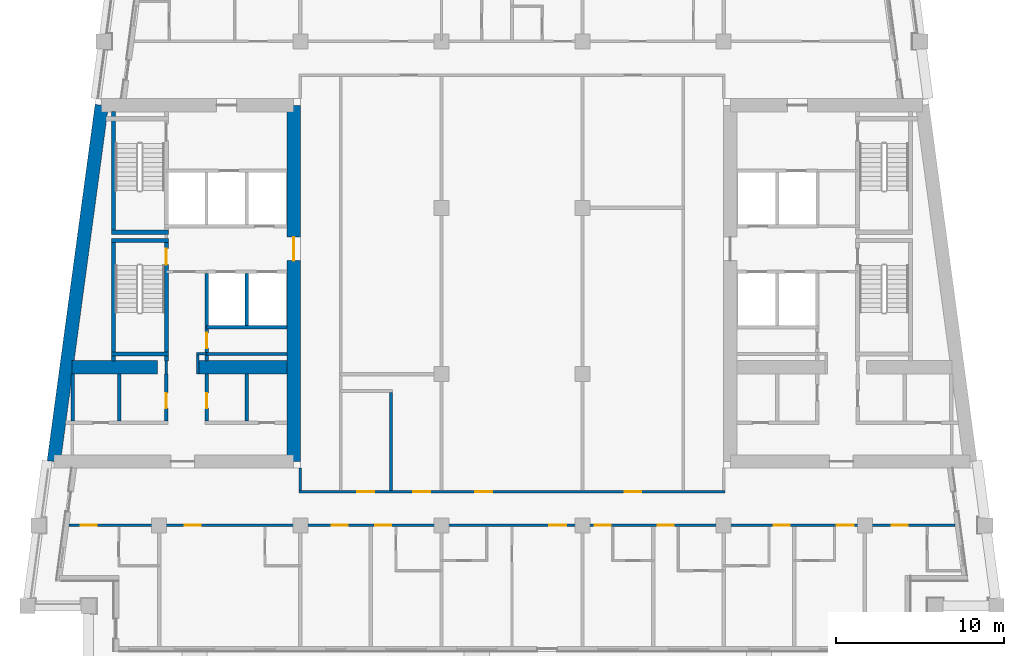
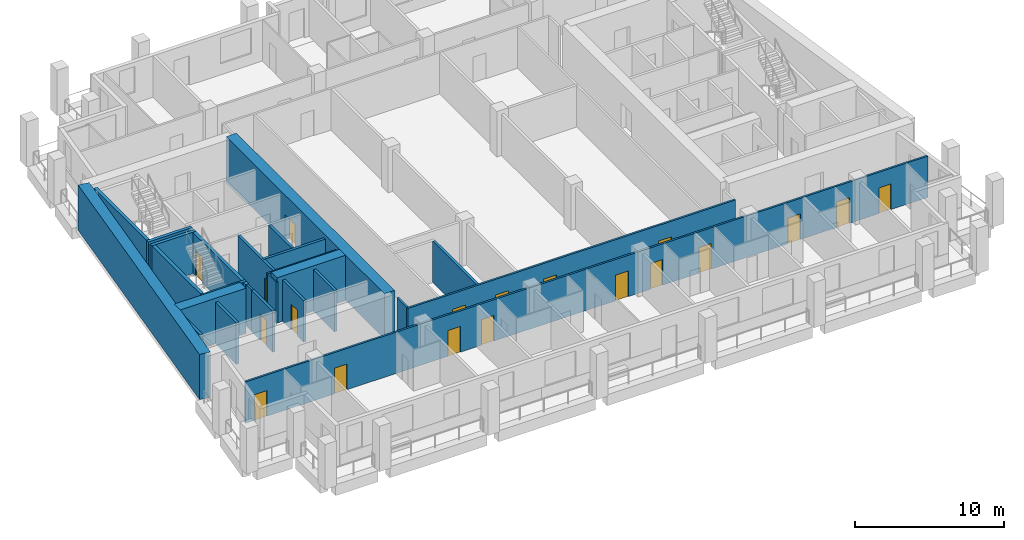
# One storey, part 3 of 12: 26 walls, 19 doors, 19 openings.
"""IFC4 building model written with IfcOpenShell, lengths in metres."""

from ifc_helpers import new_model, si_unit, direction, frame, frame_2d, origin, place, context, subcontext, project, spatial, rectangle, extrude, material, layer, layer_set, type_object, element, fill, save


model = new_model("IFC4")

# Units and contexts
model_context = context("Model", 3, precision=1e-05, world=origin(), true_north=direction((0.0, 1.0)))
body_context = subcontext(model_context, "Body", "Model", "MODEL_VIEW")
ifc_project = project(units=[si_unit("LENGTHUNIT", "METRE"), si_unit("AREAUNIT", "SQUARE_METRE"), si_unit("VOLUMEUNIT", "CUBIC_METRE"), si_unit("PLANEANGLEUNIT", "RADIAN"), si_unit("MASSUNIT", "GRAM", prefix="KILO")], contexts=[model_context])

# Site, building, storey
site_placement = place(None, origin())
site = spatial("IfcSite", under=ifc_project, at=site_placement, CompositionType="ELEMENT")
building_placement = place(site_placement, origin())
building = spatial("IfcBuilding", under=site, at=building_placement, Name="Candeia Pilgrim Tower and Theatre", CompositionType="ELEMENT")
storey_placement = place(building_placement, frame((0.0, 0.0, 224.39990234375)))
storey = spatial("IfcBuildingStorey", under=building, at=storey_placement, Name="L54", CompositionType="ELEMENT", Elevation=224.39990234375)

# Wall, opening, door
ifc_material_1 = material(Name="Concrete C50/60", Category="concrete")
ifc_layer_1 = layer(ifc_material_1, 0.800048828125)
ifc_layer_set_1 = layer_set([ifc_layer_1], Name="Core wall 800 C50/60")
wall_type_1 = type_object("IfcWallType", Name="Core wall 800 C50/60", PredefinedType="SHEAR", material=ifc_layer_set_1)
wall_1_placement = place(storey_placement, frame((100.39990234375, 132.0, 0.0), z_axis=(0.0, 0.0, 1.0), x_axis=(0.0, -1.0, 0.0)))
wall_1 = element("IfcWall", 1, at=wall_1_placement, inside=storey, type_object=wall_type_1, Name="Core wall W2", PredefinedType="SHEAR", context=body_context, shape_type="SweptSolid", body=[
    extrude(rectangle(XDim=21.199951171875, YDim=0.800048828125, at=frame_2d((10.60009765625, 0.0))), origin(), (0.0, 0.0, 1.0), 3.7001953125),
])
opening_1_placement = place(wall_1_placement, frame((7.85009765625, 0.0, 0.0)))
opening_1 = element("IfcOpeningElement", 2, at=opening_1_placement, cuts=wall_1, Name="Opening L54-D056", PredefinedType="OPENING", context=body_context, shape_type="SweptSolid", body=[
    extrude(rectangle(XDim=1.39990234375, YDim=2.10009765625, at=frame_2d((0.699951171875, 1.050048828125))), frame((0.0, 0.41015625, 0.0), z_axis=(0.0, -1.0, 0.0), x_axis=(1.0, 0.0, 0.0)), (0.0, 0.0, 1.0), 0.820068359375),
])
ifc_material_2 = material(Name="Steel fire door set", Category="steel")
door_type_1 = type_object("IfcDoorType", Name="D-1400-FD60", OperationType="NOTDEFINED", PredefinedType="DOOR", material=ifc_material_2)
door_1_placement = place(opening_1_placement, origin())
door_1 = element("IfcDoor", 3, at=door_1_placement, inside=storey, type_object=door_type_1, Name="Door L54-D056", OperationType="SINGLE_SWING_RIGHT", OverallHeight=2.10009765625, OverallWidth=1.39990234375, PredefinedType="DOOR", context=body_context, shape_type="SweptSolid", body=[
    extrude(rectangle(XDim=1.39990234375, YDim=2.10009765625, at=frame_2d((0.699951171875, 1.050048828125))), frame((0.0, 0.02490234375, 0.0), z_axis=(0.0, -1.0, 0.0), x_axis=(1.0, 0.0, 0.0)), (0.0, 0.0, 1.0), 0.050048828125),
])
fill(opening_1, door_1)

# Walls
wall_2_placement = place(storey_placement, frame((86.126708984375, 110.800048828125, 0.0), z_axis=(0.0, 0.0, 1.0), x_axis=(0.133408347329, 0.991061154956, 0.0)))
element("IfcWall", 4, at=wall_2_placement, inside=storey, type_object=wall_type_1, Name="Core wall W4", PredefinedType="SHEAR", context=body_context, shape_type="SweptSolid", body=[
    extrude(rectangle(XDim=21.39111328125, YDim=0.800048828125, at=frame_2d((10.695556640625, 0.0))), origin(), (0.0, 0.0, 1.0), 3.7001953125),
])
wall_3_placement = place(storey_placement, frame((87.22314453125, 116.39990234375, 0.0), z_axis=(0.0, 0.0, 1.0), x_axis=(1.0, 0.0, 0.0)))
element("IfcWall", 5, at=wall_3_placement, inside=storey, type_object=wall_type_1, Name="Core wall W5", PredefinedType="SHEAR", context=body_context, shape_type="SweptSolid", body=[
    extrude(rectangle(XDim=5.076904296875, YDim=0.800048828125, at=frame_2d((2.53857421875, 0.0))), origin(), (0.0, 0.0, 1.0), 3.7001953125),
])
wall_4_placement = place(storey_placement, frame((94.699951171875, 116.39990234375, 0.0), z_axis=(0.0, 0.0, 1.0), x_axis=(1.0, 0.0, 0.0)))
element("IfcWall", 6, at=wall_4_placement, inside=storey, type_object=wall_type_1, Name="Core wall W6", PredefinedType="SHEAR", context=body_context, shape_type="SweptSolid", body=[
    extrude(rectangle(XDim=5.300048828125, YDim=0.800048828125, at=frame_2d((2.64990234375, 0.0))), origin(), (0.0, 0.0, 1.0), 3.7001953125),
])
ifc_material_3 = material(Name="Gypsum board partition on steel studs", Category="steel")
ifc_layer_2 = layer(ifc_material_3, 0.14990234375)
ifc_layer_set_2 = layer_set([ifc_layer_2], Name="PW-150 lobby wall")
wall_type_2 = type_object("IfcWallType", Name="PW-150 lobby wall", PredefinedType="PARTITIONING", material=ifc_layer_set_2)
wall_5_placement = place(storey_placement, frame((94.625, 117.199951171875, 0.0), z_axis=(0.0, 0.0, 1.0), x_axis=(1.0, 0.0, 0.0)))
element("IfcWall", 7, at=wall_5_placement, inside=storey, type_object=wall_type_2, Name="Lobby wall L54-020", PredefinedType="PARTITIONING", context=body_context, shape_type="SweptSolid", body=[
    extrude(rectangle(XDim=0.60205078125, YDim=0.14990234375, at=frame_2d((0.301025390625, 0.0))), origin(), (0.0, 0.0, 1.0), 3.380126953125),
])
wall_6_placement = place(storey_placement, frame((92.826904296875, 116.0, 0.0), z_axis=(0.0, 0.0, 1.0), x_axis=(0.0, 1.0, 0.0)))
element("IfcWall", 8, at=wall_6_placement, inside=storey, type_object=wall_type_2, Name="Lobby wall L54-057", PredefinedType="PARTITIONING", context=body_context, shape_type="SweptSolid", body=[
    extrude(rectangle(XDim=0.77001953125, YDim=0.14990234375, at=frame_2d((0.385009765625, 0.0))), origin(), (0.0, 0.0, 1.0), 3.380126953125),
])
wall_7_placement = place(storey_placement, frame((94.699951171875, 116.0, 0.0), z_axis=(0.0, 0.0, 1.0), x_axis=(0.0, 1.0, 0.0)))
element("IfcWall", 9, at=wall_7_placement, inside=storey, type_object=wall_type_2, Name="Lobby wall L54-062", PredefinedType="PARTITIONING", context=body_context, shape_type="SweptSolid", body=[
    extrude(rectangle(XDim=1.125, YDim=0.14990234375, at=frame_2d((0.5625, 0.0))), origin(), (0.0, 0.0, 1.0), 3.380126953125),
])

# Wall, openings, doors
ifc_layer_3 = layer(ifc_material_3, 0.14990234375)
ifc_layer_set_3 = layer_set([ifc_layer_3], Name="PW-150 unit wall")
wall_type_3 = type_object("IfcWallType", Name="PW-150 unit wall", PredefinedType="PARTITIONING", material=ifc_layer_set_3)
wall_8_placement = place(storey_placement, frame((87.017578125, 107.0, 0.0), z_axis=(0.0, 0.0, 1.0), x_axis=(1.0, 0.0, 0.0)))
wall_8 = element("IfcWall", 10, at=wall_8_placement, inside=storey, type_object=wall_type_3, Name="Unit wall L54-010", PredefinedType="PARTITIONING", context=body_context, shape_type="SweptSolid", body=[
    extrude(rectangle(XDim=52.7646484375, YDim=0.14990234375, at=frame_2d((26.38232421875, 0.0))), origin(), (0.0, 0.0, 1.0), 3.380126953125),
])
opening_2_placement = place(wall_8_placement, frame((0.707275390625, 0.0, 0.0)))
opening_2 = element("IfcOpeningElement", 11, at=opening_2_placement, cuts=wall_8, Name="Opening L54-D017", PredefinedType="OPENING", context=body_context, shape_type="SweptSolid", body=[
    extrude(rectangle(XDim=0.949951171875, YDim=2.10009765625, at=frame_2d((0.47509765625, 1.050048828125))), frame((0.0, 0.0849609375, 0.0), z_axis=(0.0, -1.0, 0.0), x_axis=(1.0, 0.0, 0.0)), (0.0, 0.0, 1.0), 0.169921875),
])
opening_3_placement = place(wall_8_placement, frame((6.894287109375, 0.0, 0.0)))
opening_3 = element("IfcOpeningElement", 12, at=opening_3_placement, cuts=wall_8, Name="Opening L54-D019", PredefinedType="OPENING", context=body_context, shape_type="SweptSolid", body=[
    extrude(rectangle(XDim=0.949951171875, YDim=2.10009765625, at=frame_2d((0.47509765625, 1.050048828125))), frame((0.0, 0.0849609375, 0.0), z_axis=(0.0, -1.0, 0.0), x_axis=(1.0, 0.0, 0.0)), (0.0, 0.0, 1.0), 0.169921875),
])
opening_4_placement = place(wall_8_placement, frame((15.662353515625, 0.0, 0.0)))
opening_4 = element("IfcOpeningElement", 13, at=opening_4_placement, cuts=wall_8, Name="Opening L54-D021", PredefinedType="OPENING", context=body_context, shape_type="SweptSolid", body=[
    extrude(rectangle(XDim=0.949951171875, YDim=2.10009765625, at=frame_2d((0.47509765625, 1.050048828125))), frame((0.0, 0.0849609375, 0.0), z_axis=(0.0, -1.0, 0.0), x_axis=(1.0, 0.0, 0.0)), (0.0, 0.0, 1.0), 0.169921875),
])
opening_5_placement = place(wall_8_placement, frame((18.25732421875, 0.0, 0.0)))
opening_5 = element("IfcOpeningElement", 14, at=opening_5_placement, cuts=wall_8, Name="Opening L54-D022", PredefinedType="OPENING", context=body_context, shape_type="SweptSolid", body=[
    extrude(rectangle(XDim=0.949951171875, YDim=2.10009765625, at=frame_2d((0.47509765625, 1.050048828125))), frame((0.0, 0.0849609375, 0.0), z_axis=(0.0, -1.0, 0.0), x_axis=(1.0, 0.0, 0.0)), (0.0, 0.0, 1.0), 0.169921875),
])
opening_6_placement = place(wall_8_placement, frame((28.607421875, 0.0, 0.0)))
opening_6 = element("IfcOpeningElement", 15, at=opening_6_placement, cuts=wall_8, Name="Opening L54-D024", PredefinedType="OPENING", context=body_context, shape_type="SweptSolid", body=[
    extrude(rectangle(XDim=1.0, YDim=2.10009765625, at=frame_2d((0.5, 1.050048828125))), frame((0.0, 0.0849609375, 0.0), z_axis=(0.0, -1.0, 0.0), x_axis=(1.0, 0.0, 0.0)), (0.0, 0.0, 1.0), 0.169921875),
])
opening_7_placement = place(wall_8_placement, frame((31.30224609375, 0.0, 0.0)))
opening_7 = element("IfcOpeningElement", 16, at=opening_7_placement, cuts=wall_8, Name="Opening L54-D027", PredefinedType="OPENING", context=body_context, shape_type="SweptSolid", body=[
    extrude(rectangle(XDim=0.949951171875, YDim=2.10009765625, at=frame_2d((0.47509765625, 1.050048828125))), frame((0.0, 0.0849609375, 0.0), z_axis=(0.0, -1.0, 0.0), x_axis=(1.0, 0.0, 0.0)), (0.0, 0.0, 1.0), 0.169921875),
])
opening_8_placement = place(wall_8_placement, frame((35.057373046875, 0.0, 0.0)))
opening_8 = element("IfcOpeningElement", 17, at=opening_8_placement, cuts=wall_8, Name="Opening L54-D029", PredefinedType="OPENING", context=body_context, shape_type="SweptSolid", body=[
    extrude(rectangle(XDim=0.949951171875, YDim=2.10009765625, at=frame_2d((0.47509765625, 1.050048828125))), frame((0.0, 0.0849609375, 0.0), z_axis=(0.0, -1.0, 0.0), x_axis=(1.0, 0.0, 0.0)), (0.0, 0.0, 1.0), 0.169921875),
])
opening_9_placement = place(wall_8_placement, frame((41.957275390625, 0.0, 0.0)))
opening_9 = element("IfcOpeningElement", 18, at=opening_9_placement, cuts=wall_8, Name="Opening L54-D031", PredefinedType="OPENING", context=body_context, shape_type="SweptSolid", body=[
    extrude(rectangle(XDim=0.949951171875, YDim=2.10009765625, at=frame_2d((0.47509765625, 1.050048828125))), frame((0.0, 0.0849609375, 0.0), z_axis=(0.0, -1.0, 0.0), x_axis=(1.0, 0.0, 0.0)), (0.0, 0.0, 1.0), 0.169921875),
])
opening_10_placement = place(wall_8_placement, frame((45.71240234375, 0.0, 0.0)))
opening_10 = element("IfcOpeningElement", 19, at=opening_10_placement, cuts=wall_8, Name="Opening L54-D033", PredefinedType="OPENING", context=body_context, shape_type="SweptSolid", body=[
    extrude(rectangle(XDim=1.0, YDim=2.10009765625, at=frame_2d((0.5, 1.050048828125))), frame((0.0, 0.0849609375, 0.0), z_axis=(0.0, -1.0, 0.0), x_axis=(1.0, 0.0, 0.0)), (0.0, 0.0, 1.0), 0.169921875),
])
opening_11_placement = place(wall_8_placement, frame((48.974365234375, 0.0, 0.0)))
opening_11 = element("IfcOpeningElement", 20, at=opening_11_placement, cuts=wall_8, Name="Opening L54-D035", PredefinedType="OPENING", context=body_context, shape_type="SweptSolid", body=[
    extrude(rectangle(XDim=0.949951171875, YDim=2.10009765625, at=frame_2d((0.47509765625, 1.050048828125))), frame((0.0, 0.0849609375, 0.0), z_axis=(0.0, -1.0, 0.0), x_axis=(1.0, 0.0, 0.0)), (0.0, 0.0, 1.0), 0.169921875),
])
door_type_2 = type_object("IfcDoorType", Name="D-1000-FD30S", OperationType="NOTDEFINED", PredefinedType="DOOR", material=ifc_material_2)
door_2_placement = place(opening_6_placement, origin())
door_2 = element("IfcDoor", 21, at=door_2_placement, inside=storey, type_object=door_type_2, Name="Door L54-D024", OperationType="SINGLE_SWING_RIGHT", OverallHeight=2.10009765625, OverallWidth=1.0, PredefinedType="DOOR", context=body_context, shape_type="SweptSolid", body=[
    extrude(rectangle(XDim=1.0, YDim=2.10009765625, at=frame_2d((0.5, 1.050048828125))), frame((0.0, 0.02490234375, 0.0), z_axis=(0.0, -1.0, 0.0), x_axis=(1.0, 0.0, 0.0)), (0.0, 0.0, 1.0), 0.050048828125),
])
fill(opening_6, door_2)
door_3_placement = place(opening_10_placement, origin())
door_3 = element("IfcDoor", 22, at=door_3_placement, inside=storey, type_object=door_type_2, Name="Door L54-D033", OperationType="SINGLE_SWING_LEFT", OverallHeight=2.10009765625, OverallWidth=1.0, PredefinedType="DOOR", context=body_context, shape_type="SweptSolid", body=[
    extrude(rectangle(XDim=1.0, YDim=2.10009765625, at=frame_2d((0.5, 1.050048828125))), frame((0.0, 0.02490234375, 0.0), z_axis=(0.0, -1.0, 0.0), x_axis=(1.0, 0.0, 0.0)), (0.0, 0.0, 1.0), 0.050048828125),
])
fill(opening_10, door_3)
door_type_3 = type_object("IfcDoorType", Name="D-950-FD30S", OperationType="NOTDEFINED", PredefinedType="DOOR", material=ifc_material_2)
door_4_placement = place(opening_2_placement, origin())
door_4 = element("IfcDoor", 23, at=door_4_placement, inside=storey, type_object=door_type_3, Name="Door L54-D017", OperationType="SINGLE_SWING_LEFT", OverallHeight=2.10009765625, OverallWidth=0.949951171875, PredefinedType="DOOR", context=body_context, shape_type="SweptSolid", body=[
    extrude(rectangle(XDim=0.949951171875, YDim=2.10009765625, at=frame_2d((0.47509765625, 1.050048828125))), frame((0.0, 0.02490234375, 0.0), z_axis=(0.0, -1.0, 0.0), x_axis=(1.0, 0.0, 0.0)), (0.0, 0.0, 1.0), 0.050048828125),
])
fill(opening_2, door_4)
door_5_placement = place(opening_3_placement, origin())
door_5 = element("IfcDoor", 24, at=door_5_placement, inside=storey, type_object=door_type_3, Name="Door L54-D019", OperationType="SINGLE_SWING_LEFT", OverallHeight=2.10009765625, OverallWidth=0.949951171875, PredefinedType="DOOR", context=body_context, shape_type="SweptSolid", body=[
    extrude(rectangle(XDim=0.949951171875, YDim=2.10009765625, at=frame_2d((0.47509765625, 1.050048828125))), frame((0.0, 0.02490234375, 0.0), z_axis=(0.0, -1.0, 0.0), x_axis=(1.0, 0.0, 0.0)), (0.0, 0.0, 1.0), 0.050048828125),
])
fill(opening_3, door_5)
door_6_placement = place(opening_4_placement, origin())
door_6 = element("IfcDoor", 25, at=door_6_placement, inside=storey, type_object=door_type_3, Name="Door L54-D021", OperationType="SINGLE_SWING_LEFT", OverallHeight=2.10009765625, OverallWidth=0.949951171875, PredefinedType="DOOR", context=body_context, shape_type="SweptSolid", body=[
    extrude(rectangle(XDim=0.949951171875, YDim=2.10009765625, at=frame_2d((0.47509765625, 1.050048828125))), frame((0.0, 0.02490234375, 0.0), z_axis=(0.0, -1.0, 0.0), x_axis=(1.0, 0.0, 0.0)), (0.0, 0.0, 1.0), 0.050048828125),
])
fill(opening_4, door_6)
door_7_placement = place(opening_5_placement, origin())
door_7 = element("IfcDoor", 26, at=door_7_placement, inside=storey, type_object=door_type_3, Name="Door L54-D022", OperationType="SINGLE_SWING_RIGHT", OverallHeight=2.10009765625, OverallWidth=0.949951171875, PredefinedType="DOOR", context=body_context, shape_type="SweptSolid", body=[
    extrude(rectangle(XDim=0.949951171875, YDim=2.10009765625, at=frame_2d((0.47509765625, 1.050048828125))), frame((0.0, 0.02490234375, 0.0), z_axis=(0.0, -1.0, 0.0), x_axis=(1.0, 0.0, 0.0)), (0.0, 0.0, 1.0), 0.050048828125),
])
fill(opening_5, door_7)
door_8_placement = place(opening_7_placement, origin())
door_8 = element("IfcDoor", 27, at=door_8_placement, inside=storey, type_object=door_type_3, Name="Door L54-D027", OperationType="SINGLE_SWING_LEFT", OverallHeight=2.10009765625, OverallWidth=0.949951171875, PredefinedType="DOOR", context=body_context, shape_type="SweptSolid", body=[
    extrude(rectangle(XDim=0.949951171875, YDim=2.10009765625, at=frame_2d((0.47509765625, 1.050048828125))), frame((0.0, 0.02490234375, 0.0), z_axis=(0.0, -1.0, 0.0), x_axis=(1.0, 0.0, 0.0)), (0.0, 0.0, 1.0), 0.050048828125),
])
fill(opening_7, door_8)
door_9_placement = place(opening_8_placement, origin())
door_9 = element("IfcDoor", 28, at=door_9_placement, inside=storey, type_object=door_type_3, Name="Door L54-D029", OperationType="SINGLE_SWING_LEFT", OverallHeight=2.10009765625, OverallWidth=0.949951171875, PredefinedType="DOOR", context=body_context, shape_type="SweptSolid", body=[
    extrude(rectangle(XDim=0.949951171875, YDim=2.10009765625, at=frame_2d((0.47509765625, 1.050048828125))), frame((0.0, 0.02490234375, 0.0), z_axis=(0.0, -1.0, 0.0), x_axis=(1.0, 0.0, 0.0)), (0.0, 0.0, 1.0), 0.050048828125),
])
fill(opening_8, door_9)
door_10_placement = place(opening_9_placement, origin())
door_10 = element("IfcDoor", 29, at=door_10_placement, inside=storey, type_object=door_type_3, Name="Door L54-D031", OperationType="SINGLE_SWING_LEFT", OverallHeight=2.10009765625, OverallWidth=0.949951171875, PredefinedType="DOOR", context=body_context, shape_type="SweptSolid", body=[
    extrude(rectangle(XDim=0.949951171875, YDim=2.10009765625, at=frame_2d((0.47509765625, 1.050048828125))), frame((0.0, 0.02490234375, 0.0), z_axis=(0.0, -1.0, 0.0), x_axis=(1.0, 0.0, 0.0)), (0.0, 0.0, 1.0), 0.050048828125),
])
fill(opening_9, door_10)
door_11_placement = place(opening_11_placement, origin())
door_11 = element("IfcDoor", 30, at=door_11_placement, inside=storey, type_object=door_type_3, Name="Door L54-D035", OperationType="SINGLE_SWING_LEFT", OverallHeight=2.10009765625, OverallWidth=0.949951171875, PredefinedType="DOOR", context=body_context, shape_type="SweptSolid", body=[
    extrude(rectangle(XDim=0.949951171875, YDim=2.10009765625, at=frame_2d((0.47509765625, 1.050048828125))), frame((0.0, 0.02490234375, 0.0), z_axis=(0.0, -1.0, 0.0), x_axis=(1.0, 0.0, 0.0)), (0.0, 0.0, 1.0), 0.050048828125),
])
fill(opening_11, door_11)

wall_9_placement = place(storey_placement, frame((100.72509765625, 109.0, 0.0), z_axis=(0.0, 0.0, 1.0), x_axis=(1.0, 0.0, 0.0)))
wall_9 = element("IfcWall", 31, at=wall_9_placement, inside=storey, type_object=wall_type_3, Name="Unit wall L54-011", PredefinedType="PARTITIONING", context=body_context, shape_type="SweptSolid", body=[
    extrude(rectangle(XDim=25.349853515625, YDim=0.14990234375, at=frame_2d((12.6748046875, 0.0))), origin(), (0.0, 0.0, 1.0), 3.380126953125),
])
opening_12_placement = place(wall_9_placement, frame((6.800048828125, 0.0, 0.0)))
opening_12 = element("IfcOpeningElement", 32, at=opening_12_placement, cuts=wall_9, Name="Opening L54-D048", PredefinedType="OPENING", context=body_context, shape_type="SweptSolid", body=[
    extrude(rectangle(XDim=1.0, YDim=2.10009765625, at=frame_2d((0.5, 1.050048828125))), frame((0.0, 0.0849609375, 0.0), z_axis=(0.0, -1.0, 0.0), x_axis=(1.0, 0.0, 0.0)), (0.0, 0.0, 1.0), 0.169921875),
])
opening_13_placement = place(wall_9_placement, frame((3.47509765625, 0.0, 0.0)))
opening_13 = element("IfcOpeningElement", 33, at=opening_13_placement, cuts=wall_9, Name="Opening L54-D049", PredefinedType="OPENING", context=body_context, shape_type="SweptSolid", body=[
    extrude(rectangle(XDim=1.0, YDim=2.10009765625, at=frame_2d((0.5, 1.050048828125))), frame((0.0, 0.0849609375, 0.0), z_axis=(0.0, -1.0, 0.0), x_axis=(1.0, 0.0, 0.0)), (0.0, 0.0, 1.0), 0.169921875),
])
opening_14_placement = place(wall_9_placement, frame((10.5, 0.0, 0.0)))
opening_14 = element("IfcOpeningElement", 34, at=opening_14_placement, cuts=wall_9, Name="Opening L54-D051", PredefinedType="OPENING", context=body_context, shape_type="SweptSolid", body=[
    extrude(rectangle(XDim=1.0, YDim=2.10009765625, at=frame_2d((0.5, 1.050048828125))), frame((0.0, 0.0849609375, 0.0), z_axis=(0.0, -1.0, 0.0), x_axis=(1.0, 0.0, 0.0)), (0.0, 0.0, 1.0), 0.169921875),
])
opening_15_placement = place(wall_9_placement, frame((19.375, 0.0, 0.0)))
opening_15 = element("IfcOpeningElement", 35, at=opening_15_placement, cuts=wall_9, Name="Opening L54-D052", PredefinedType="OPENING", context=body_context, shape_type="SweptSolid", body=[
    extrude(rectangle(XDim=1.0, YDim=2.10009765625, at=frame_2d((0.5, 1.050048828125))), frame((0.0, 0.0849609375, 0.0), z_axis=(0.0, -1.0, 0.0), x_axis=(1.0, 0.0, 0.0)), (0.0, 0.0, 1.0), 0.169921875),
])
door_12_placement = place(opening_12_placement, origin())
door_12 = element("IfcDoor", 36, at=door_12_placement, inside=storey, type_object=door_type_2, Name="Door L54-D048", OperationType="SINGLE_SWING_RIGHT", OverallHeight=2.10009765625, OverallWidth=1.0, PredefinedType="DOOR", context=body_context, shape_type="SweptSolid", body=[
    extrude(rectangle(XDim=1.0, YDim=2.10009765625, at=frame_2d((0.5, 1.050048828125))), frame((0.0, 0.02490234375, 0.0), z_axis=(0.0, -1.0, 0.0), x_axis=(1.0, 0.0, 0.0)), (0.0, 0.0, 1.0), 0.050048828125),
])
fill(opening_12, door_12)
door_13_placement = place(opening_13_placement, origin())
door_13 = element("IfcDoor", 37, at=door_13_placement, inside=storey, type_object=door_type_2, Name="Door L54-D049", OperationType="SINGLE_SWING_LEFT", OverallHeight=2.10009765625, OverallWidth=1.0, PredefinedType="DOOR", context=body_context, shape_type="SweptSolid", body=[
    extrude(rectangle(XDim=1.0, YDim=2.10009765625, at=frame_2d((0.5, 1.050048828125))), frame((0.0, 0.02490234375, 0.0), z_axis=(0.0, -1.0, 0.0), x_axis=(1.0, 0.0, 0.0)), (0.0, 0.0, 1.0), 0.050048828125),
])
fill(opening_13, door_13)
door_14_placement = place(opening_14_placement, origin())
door_14 = element("IfcDoor", 38, at=door_14_placement, inside=storey, type_object=door_type_2, Name="Door L54-D051", OperationType="SINGLE_SWING_LEFT", OverallHeight=2.10009765625, OverallWidth=1.0, PredefinedType="DOOR", context=body_context, shape_type="SweptSolid", body=[
    extrude(rectangle(XDim=1.0, YDim=2.10009765625, at=frame_2d((0.5, 1.050048828125))), frame((0.0, 0.02490234375, 0.0), z_axis=(0.0, -1.0, 0.0), x_axis=(1.0, 0.0, 0.0)), (0.0, 0.0, 1.0), 0.050048828125),
])
fill(opening_14, door_14)
door_15_placement = place(opening_15_placement, origin())
door_15 = element("IfcDoor", 39, at=door_15_placement, inside=storey, type_object=door_type_2, Name="Door L54-D052", OperationType="SINGLE_SWING_RIGHT", OverallHeight=2.10009765625, OverallWidth=1.0, PredefinedType="DOOR", context=body_context, shape_type="SweptSolid", body=[
    extrude(rectangle(XDim=1.0, YDim=2.10009765625, at=frame_2d((0.5, 1.050048828125))), frame((0.0, 0.02490234375, 0.0), z_axis=(0.0, -1.0, 0.0), x_axis=(1.0, 0.0, 0.0)), (0.0, 0.0, 1.0), 0.050048828125),
])
fill(opening_15, door_15)

# Walls
wall_10_placement = place(storey_placement, frame((100.800048828125, 109.074951171875, 0.0), z_axis=(0.0, 0.0, 1.0), x_axis=(0.0, 1.0, 0.0)))
element("IfcWall", 40, at=wall_10_placement, inside=storey, type_object=wall_type_3, Name="Unit wall L54-073", PredefinedType="PARTITIONING", context=body_context, shape_type="SweptSolid", body=[
    extrude(rectangle(XDim=1.324951171875, YDim=0.14990234375, at=frame_2d((0.66259765625, 0.0))), origin(), (0.0, 0.0, 1.0), 3.380126953125),
])
ifc_layer_4 = layer(ifc_material_3, 0.199951171875)
ifc_layer_set_4 = layer_set([ifc_layer_4], Name="PW-200 party wall")
wall_type_4 = type_object("IfcWallType", Name="PW-200 party wall", PredefinedType="PARTITIONING", material=ifc_layer_set_4)
wall_11_placement = place(storey_placement, frame((106.199951171875, 109.074951171875, 0.0), z_axis=(0.0, 0.0, 1.0), x_axis=(0.0, 1.0, 0.0)))
element("IfcWall", 41, at=wall_11_placement, inside=storey, type_object=wall_type_4, Name="Party wall L54-077", PredefinedType="PARTITIONING", context=body_context, shape_type="SweptSolid", body=[
    extrude(rectangle(XDim=5.824951171875, YDim=0.199951171875, at=frame_2d((2.91259765625, 0.0))), origin(), (0.0, 0.0, 1.0), 3.380126953125),
])
ifc_material_4 = material(Name="Concrete C40/50", Category="concrete")
ifc_layer_5 = layer(ifc_material_4, 0.199951171875)
ifc_layer_set_5 = layer_set([ifc_layer_5], Name="SW-200 shaft wall")
wall_type_5 = type_object("IfcWallType", Name="SW-200 shaft wall", PredefinedType="PARTITIONING", material=ifc_layer_set_5)
for number, where, z_axis, x_axis, name in (
    (42, (95.22705078125, 117.199951171875, 0.0), (0.0, 0.0, 1.0), (1.0, 0.0, 0.0), "Shaft wall L54-018"),
    (43, (95.22705078125, 118.800048828125, 0.0), (0.0, 0.0, 1.0), (1.0, 0.0, 0.0), "Shaft wall L54-024"),
):
    element("IfcWall", number, at=place(storey_placement, frame(where, z_axis=z_axis, x_axis=x_axis)), inside=storey, type_object=wall_type_5, Name=name, PredefinedType="PARTITIONING", context=body_context, shape_type="SweptSolid", body=[
        extrude(rectangle(XDim=4.77294921875, YDim=0.199951171875, at=frame_2d((2.386474609375, 0.0))), origin(), (0.0, 0.0, 1.0), 3.380126953125),
    ])
for number, where, z_axis, x_axis, name in (
    (44, (87.24951171875, 113.199951171875, 0.0), (0.0, 0.0, 1.0), (0.0, 1.0, 0.0), "Shaft wall L54-049"),
    (45, (90.027099609375, 113.199951171875, 0.0), (0.0, 0.0, 1.0), (0.0, 1.0, 0.0), "Shaft wall L54-054"),
):
    element("IfcWall", number, at=place(storey_placement, frame(where, z_axis=z_axis, x_axis=x_axis)), inside=storey, type_object=wall_type_5, Name=name, PredefinedType="PARTITIONING", context=body_context, shape_type="SweptSolid", body=[
        extrude(rectangle(XDim=2.800048828125, YDim=0.199951171875, at=frame_2d((1.39990234375, 0.0))), origin(), (0.0, 0.0, 1.0), 3.380126953125),
    ])

# Wall, opening, door
wall_12_placement = place(storey_placement, frame((92.826904296875, 113.199951171875, 0.0), z_axis=(0.0, 0.0, 1.0), x_axis=(0.0, 1.0, 0.0)))
wall_12 = element("IfcWall", 46, at=wall_12_placement, inside=storey, type_object=wall_type_5, Name="Shaft wall L54-056", PredefinedType="PARTITIONING", context=body_context, shape_type="SweptSolid", body=[
    extrude(rectangle(XDim=2.800048828125, YDim=0.199951171875, at=frame_2d((1.39990234375, 0.0))), origin(), (0.0, 0.0, 1.0), 3.380126953125),
])
opening_16_placement = place(wall_12_placement, frame((0.77001953125, 0.0, 0.0)))
opening_16 = element("IfcOpeningElement", 47, at=opening_16_placement, cuts=wall_12, Name="Opening L54-D006", PredefinedType="OPENING", context=body_context, shape_type="SweptSolid", body=[
    extrude(rectangle(XDim=0.89990234375, YDim=2.10009765625, at=frame_2d((0.449951171875, 1.050048828125))), frame((0.0, 0.10986328125, 0.0), z_axis=(0.0, -1.0, 0.0), x_axis=(1.0, 0.0, 0.0)), (0.0, 0.0, 1.0), 0.219970703125),
])
door_type_4 = type_object("IfcDoorType", Name="D-900-FD60", OperationType="NOTDEFINED", PredefinedType="DOOR", material=ifc_material_2)
door_16_placement = place(opening_16_placement, origin())
door_16 = element("IfcDoor", 48, at=door_16_placement, inside=storey, type_object=door_type_4, Name="Door L54-D006", OperationType="SINGLE_SWING_RIGHT", OverallHeight=2.10009765625, OverallWidth=0.89990234375, PredefinedType="DOOR", context=body_context, shape_type="SweptSolid", body=[
    extrude(rectangle(XDim=0.89990234375, YDim=2.10009765625, at=frame_2d((0.449951171875, 1.050048828125))), frame((0.0, 0.02490234375, 0.0), z_axis=(0.0, -1.0, 0.0), x_axis=(1.0, 0.0, 0.0)), (0.0, 0.0, 1.0), 0.050048828125),
])
fill(opening_16, door_16)

wall_13_placement = place(storey_placement, frame((95.22705078125, 113.199951171875, 0.0), z_axis=(0.0, 0.0, 1.0), x_axis=(0.0, 1.0, 0.0)))
wall_13 = element("IfcWall", 49, at=wall_13_placement, inside=storey, type_object=wall_type_5, Name="Shaft wall L54-064", PredefinedType="PARTITIONING", context=body_context, shape_type="SweptSolid", body=[
    extrude(rectangle(XDim=2.800048828125, YDim=0.199951171875, at=frame_2d((1.39990234375, 0.0))), origin(), (0.0, 0.0, 1.0), 3.380126953125),
])
opening_17_placement = place(wall_13_placement, frame((0.77001953125, 0.0, 0.0)))
opening_17 = element("IfcOpeningElement", 50, at=opening_17_placement, cuts=wall_13, Name="Opening L54-D007", PredefinedType="OPENING", context=body_context, shape_type="SweptSolid", body=[
    extrude(rectangle(XDim=0.89990234375, YDim=2.10009765625, at=frame_2d((0.449951171875, 1.050048828125))), frame((0.0, 0.10986328125, 0.0), z_axis=(0.0, -1.0, 0.0), x_axis=(1.0, 0.0, 0.0)), (0.0, 0.0, 1.0), 0.219970703125),
])
door_17_placement = place(opening_17_placement, origin())
door_17 = element("IfcDoor", 51, at=door_17_placement, inside=storey, type_object=door_type_4, Name="Door L54-D007", OperationType="SINGLE_SWING_LEFT", OverallHeight=2.10009765625, OverallWidth=0.89990234375, PredefinedType="DOOR", context=body_context, shape_type="SweptSolid", body=[
    extrude(rectangle(XDim=0.89990234375, YDim=2.10009765625, at=frame_2d((0.449951171875, 1.050048828125))), frame((0.0, 0.02490234375, 0.0), z_axis=(0.0, -1.0, 0.0), x_axis=(1.0, 0.0, 0.0)), (0.0, 0.0, 1.0), 0.050048828125),
])
fill(opening_17, door_17)

wall_14_placement = place(storey_placement, frame((95.22705078125, 116.77001953125, 0.0), z_axis=(0.0, 0.0, 1.0), x_axis=(0.0, 1.0, 0.0)))
wall_14 = element("IfcWall", 52, at=wall_14_placement, inside=storey, type_object=wall_type_5, Name="Shaft wall L54-065", PredefinedType="PARTITIONING", context=body_context, shape_type="SweptSolid", body=[
    extrude(rectangle(XDim=5.22998046875, YDim=0.199951171875, at=frame_2d((2.614990234375, 0.0))), origin(), (0.0, 0.0, 1.0), 3.380126953125),
])
opening_18_placement = place(wall_14_placement, frame((0.780029296875, 0.0, 0.0)))
opening_18 = element("IfcOpeningElement", 53, at=opening_18_placement, cuts=wall_14, Name="Opening L54-D004", PredefinedType="OPENING", context=body_context, shape_type="SweptSolid", body=[
    extrude(rectangle(XDim=0.89990234375, YDim=2.10009765625, at=frame_2d((0.449951171875, 1.050048828125))), frame((0.0, 0.10986328125, 0.0), z_axis=(0.0, -1.0, 0.0), x_axis=(1.0, 0.0, 0.0)), (0.0, 0.0, 1.0), 0.219970703125),
])
door_18_placement = place(opening_18_placement, origin())
door_18 = element("IfcDoor", 54, at=door_18_placement, inside=storey, type_object=door_type_4, Name="Door L54-D004", OperationType="SINGLE_SWING_RIGHT", OverallHeight=2.10009765625, OverallWidth=0.89990234375, PredefinedType="DOOR", context=body_context, shape_type="SweptSolid", body=[
    extrude(rectangle(XDim=0.89990234375, YDim=2.10009765625, at=frame_2d((0.449951171875, 1.050048828125))), frame((0.0, 0.02490234375, 0.0), z_axis=(0.0, -1.0, 0.0), x_axis=(1.0, 0.0, 0.0)), (0.0, 0.0, 1.0), 0.050048828125),
])
fill(opening_18, door_18)

# Walls
wall_15_placement = place(storey_placement, frame((97.613525390625, 113.199951171875, 0.0), z_axis=(0.0, 0.0, 1.0), x_axis=(0.0, 1.0, 0.0)))
element("IfcWall", 55, at=wall_15_placement, inside=storey, type_object=wall_type_5, Name="Shaft wall L54-068", PredefinedType="PARTITIONING", context=body_context, shape_type="SweptSolid", body=[
    extrude(rectangle(XDim=2.800048828125, YDim=0.199951171875, at=frame_2d((1.39990234375, 0.0))), origin(), (0.0, 0.0, 1.0), 3.380126953125),
])
wall_16_placement = place(storey_placement, frame((97.613525390625, 118.89990234375, 0.0), z_axis=(0.0, 0.0, 1.0), x_axis=(0.0, 1.0, 0.0)))
element("IfcWall", 56, at=wall_16_placement, inside=storey, type_object=wall_type_5, Name="Shaft wall L54-069", PredefinedType="PARTITIONING", context=body_context, shape_type="SweptSolid", body=[
    extrude(rectangle(XDim=3.10009765625, YDim=0.199951171875, at=frame_2d((1.550048828125, 0.0))), origin(), (0.0, 0.0, 1.0), 3.380126953125),
])
ifc_layer_6 = layer(ifc_material_4, 0.25)
ifc_layer_set_6 = layer_set([ifc_layer_6], Name="SW-250 stair wall")
wall_type_6 = type_object("IfcWallType", Name="SW-250 stair wall", PredefinedType="PARTITIONING", material=ifc_layer_set_6)
for number, where, z_axis, x_axis, name in (
    (57, (89.552001953125, 117.199951171875, 0.0), (0.0, 0.0, 1.0), (1.0, 0.0, 0.0), "Stair wall L54-022"),
    (58, (89.552001953125, 123.949951171875, 0.0), (0.0, 0.0, 1.0), (1.0, 0.0, 0.0), "Stair wall L54-030"),
    (59, (89.552001953125, 124.449951171875, 0.0), (0.0, 0.0, 1.0), (1.0, 0.0, 0.0), "Stair wall L54-032"),
):
    element("IfcWall", number, at=place(storey_placement, frame(where, z_axis=z_axis, x_axis=x_axis)), inside=storey, type_object=wall_type_6, Name=name, PredefinedType="PARTITIONING", context=body_context, shape_type="SweptSolid", body=[
        extrude(rectangle(XDim=3.39990234375, YDim=0.25, at=frame_2d((1.699951171875, 0.0))), origin(), (0.0, 0.0, 1.0), 3.380126953125),
    ])
for number, where, z_axis, x_axis, name in (
    (60, (89.677001953125, 116.77001953125, 0.0), (0.0, 0.0, 1.0), (0.0, 1.0, 0.0), "Stair wall L54-051"),
    (61, (89.677001953125, 124.574951171875, 0.0), (0.0, 0.0, 1.0), (0.0, 1.0, 0.0), "Stair wall L54-052"),
):
    element("IfcWall", number, at=place(storey_placement, frame(where, z_axis=z_axis, x_axis=x_axis)), inside=storey, type_object=wall_type_6, Name=name, PredefinedType="PARTITIONING", context=body_context, shape_type="SweptSolid", body=[
        extrude(rectangle(XDim=7.054931640625, YDim=0.25, at=frame_2d((3.52734375, 0.0))), origin(), (0.0, 0.0, 1.0), 3.380126953125),
    ])

# Wall, opening, door
wall_17_placement = place(storey_placement, frame((92.826904296875, 116.77001953125, 0.0), z_axis=(0.0, 0.0, 1.0), x_axis=(0.0, 1.0, 0.0)))
wall_17 = element("IfcWall", 62, at=wall_17_placement, inside=storey, type_object=wall_type_6, Name="Stair wall L54-059", PredefinedType="PARTITIONING", context=body_context, shape_type="SweptSolid", body=[
    extrude(rectangle(XDim=7.054931640625, YDim=0.25, at=frame_2d((3.52734375, 0.0))), origin(), (0.0, 0.0, 1.0), 3.380126953125),
])
opening_19_placement = place(wall_17_placement, frame((5.7548828125, 0.0, 0.0)))
opening_19 = element("IfcOpeningElement", 63, at=opening_19_placement, cuts=wall_17, Name="Opening L54-D002", PredefinedType="OPENING", context=body_context, shape_type="SweptSolid", body=[
    extrude(rectangle(XDim=0.949951171875, YDim=2.10009765625, at=frame_2d((0.47509765625, 1.050048828125))), frame((0.0, 0.135009765625, 0.0), z_axis=(0.0, -1.0, 0.0), x_axis=(1.0, 0.0, 0.0)), (0.0, 0.0, 1.0), 0.27001953125),
])
door_type_5 = type_object("IfcDoorType", Name="D-950-FD60", OperationType="NOTDEFINED", PredefinedType="DOOR", material=ifc_material_2)
door_19_placement = place(opening_19_placement, origin())
door_19 = element("IfcDoor", 64, at=door_19_placement, inside=storey, type_object=door_type_5, Name="Door L54-D002", OperationType="SINGLE_SWING_RIGHT", OverallHeight=2.10009765625, OverallWidth=0.949951171875, PredefinedType="DOOR", context=body_context, shape_type="SweptSolid", body=[
    extrude(rectangle(XDim=0.949951171875, YDim=2.10009765625, at=frame_2d((0.47509765625, 1.050048828125))), frame((0.0, 0.02490234375, 0.0), z_axis=(0.0, -1.0, 0.0), x_axis=(1.0, 0.0, 0.0)), (0.0, 0.0, 1.0), 0.050048828125),
])
fill(opening_19, door_19)

save(model, "model.ifc")
